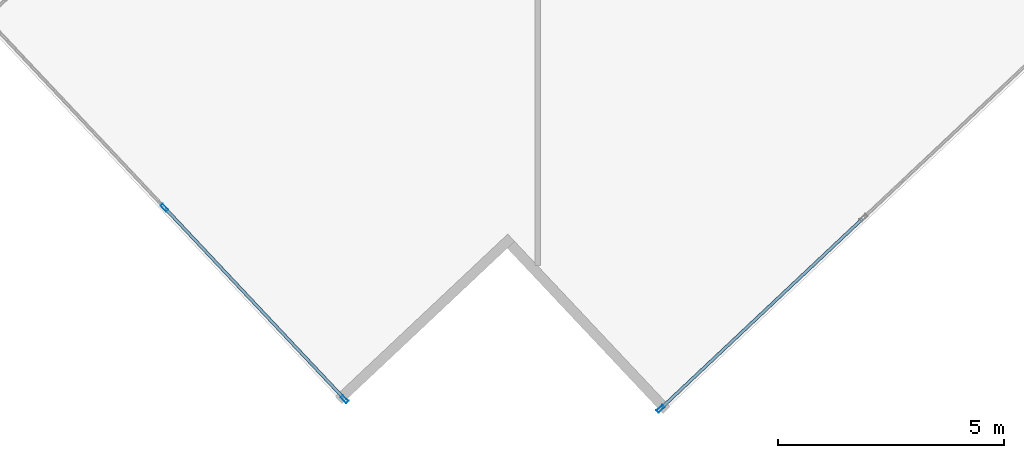
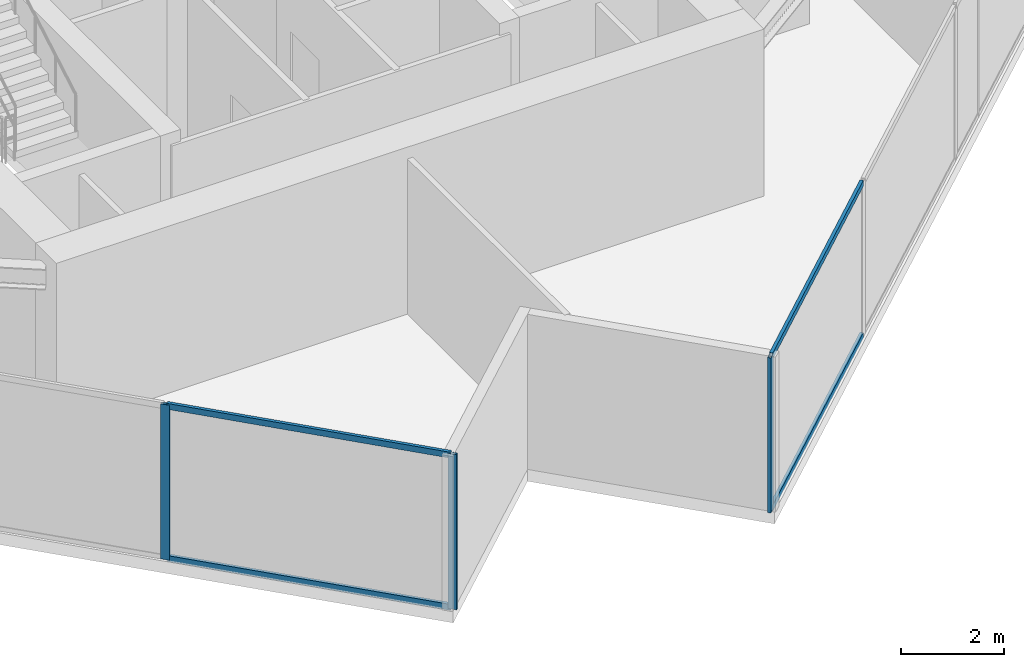
# One storey, part 3 of 24: 7 members, 2 elements without a shape of their own.
"""IFC4 building model written with IfcOpenShell, lengths in metres."""

import ifcopenshell
import ifcopenshell.guid

model = None  # the IFC model being written
_history = None  # IfcOwnerHistory: only IFC2X3 demands one
_inside = {}  # id of a spatial element -> (the spatial element, [elements in it])
_under = {}  # id of a project, library or spatial element -> (it, [spatial elements below it])
_declared = {}  # id of a project -> (the project, [libraries it declares])
_typed = {}  # id of a type object -> (the type object, [elements of that type])
_made_of = {}  # id of a material, layer set ... -> (it, [elements and type objects made of it])


def new_model(schema):
    """Start an empty IFC model of exactly this schema.

    Asked for "IFC4X3", IfcOpenShell would pick the latest addendum, in which some entities
    have other attributes; the version numbers below select the first issue.
    IFC2X3 requires an IfcOwnerHistory on every rooted entity: one is made here for all.
    """
    global model, _history
    if schema == "IFC4X3":
        model = ifcopenshell.file(schema_version=(4, 3, 0, 0))
    else:
        model = ifcopenshell.file(schema=schema)
    _inside.clear()
    _under.clear()
    _declared.clear()
    _typed.clear()
    _made_of.clear()
    _history = None
    if model.schema == "IFC2X3":
        org = make("IfcOrganization", Name="unknown")
        user = make(
            "IfcPersonAndOrganization",
            ThePerson=make("IfcPerson", FamilyName="unknown"),
            TheOrganization=org,
        )
        app = make(
            "IfcApplication",
            ApplicationDeveloper=org,
            Version="unknown",
            ApplicationFullName="unknown",
            ApplicationIdentifier="unknown",
        )
        _history = make(
            "IfcOwnerHistory",
            OwningUser=user,
            OwningApplication=app,
            ChangeAction="ADDED",
            CreationDate=0,
        )
    return model


def make(cls, **values):
    """One entity of the class cls with the attributes given. An attribute that is None is left unset."""
    return model.create_entity(
        cls, **{name: value for name, value in values.items() if value is not None}
    )


def rooted(cls, **values):
    """An entity with a GlobalId (a new one), such as an element, a storey or a relation."""
    return make(cls, GlobalId=ifcopenshell.guid.new(), OwnerHistory=_history, **values)


def si_unit(unit_type, name, prefix=None):
    """IfcSIUnit, for example si_unit("LENGTHUNIT", "METRE", prefix="MILLI")."""
    return make("IfcSIUnit", UnitType=unit_type, Prefix=prefix, Name=name)


def assignment(units):
    """IfcUnitAssignment: the units of a project."""
    return None if units is None else make("IfcUnitAssignment", Units=units)


def point(xyz):
    """IfcCartesianPoint."""
    return None if xyz is None else make("IfcCartesianPoint", Coordinates=xyz)


def direction(xyz):
    """IfcDirection."""
    return None if xyz is None else make("IfcDirection", DirectionRatios=xyz)


def frame(location, z_axis=None, x_axis=None):
    """IfcAxis2Placement3D, a coordinate frame: its origin and axes. An axis left out is left unset."""
    return make(
        "IfcAxis2Placement3D",
        Location=point(location),
        Axis=direction(z_axis),
        RefDirection=direction(x_axis),
    )


def frame_2d(location, x_axis=None):
    """IfcAxis2Placement2D, a coordinate frame in the plane: its origin and x axis."""
    return make(
        "IfcAxis2Placement2D", Location=point(location), RefDirection=direction(x_axis)
    )


def origin():
    """The frame at (0, 0, 0) with its axes left unset."""
    return frame((0.0, 0.0, 0.0))


def origin_2d():
    """The frame at (0, 0) in the plane with its x axis left unset."""
    return frame_2d((0.0, 0.0))


def place(relative_to, where):
    """IfcLocalPlacement: puts the frame where relative to a parent placement (None: the world)."""
    return make(
        "IfcLocalPlacement", PlacementRelTo=relative_to, RelativePlacement=where
    )


def context(
    kind, dimensions, precision=None, world=None, true_north=None, identifier=None
):
    """IfcGeometricRepresentationContext, for example the 3D "Model" context."""
    return make(
        "IfcGeometricRepresentationContext",
        ContextIdentifier=identifier,
        ContextType=kind,
        CoordinateSpaceDimension=dimensions,
        Precision=precision,
        WorldCoordinateSystem=world,
        TrueNorth=true_north,
    )


def subcontext(parent, identifier, kind, view, scale=None):
    """IfcGeometricRepresentationSubContext, for example "Body" below "Model"."""
    return make(
        "IfcGeometricRepresentationSubContext",
        ContextIdentifier=identifier,
        ContextType=kind,
        ParentContext=parent,
        TargetScale=scale,
        TargetView=view,
    )


def project(units=None, contexts=None):
    """IfcProject with its units and contexts."""
    return rooted(
        "IfcProject",
        Name="project",
        RepresentationContexts=contexts,
        UnitsInContext=assignment(units),
    )


def spatial(cls, under=None, at=None, **own):
    """A site, building, storey or space (cls), placed at a placement, below another one or the project."""
    s = rooted(cls, ObjectPlacement=at, **own)
    if under is not None:
        _under.setdefault(under.id(), (under, []))[1].append(s)
    return s


def profile(cls, at=None, kind="AREA", **sizes):
    """A parametric profile (cls). Its sizes go by their IFC names, for example OverallWidth=200.0."""
    return make(cls, ProfileType=kind, Position=at, **sizes)


def hollow_rectangle(**sizes):
    """IfcRectangleHollowProfileDef."""
    return profile("IfcRectangleHollowProfileDef", **sizes)


def extrude(swept, where, along, depth):
    """IfcExtrudedAreaSolid: the profile swept, set in the frame where, extruded along a direction by depth."""
    return make(
        "IfcExtrudedAreaSolid",
        SweptArea=swept,
        Position=where,
        ExtrudedDirection=direction(along),
        Depth=depth,
    )


def shape(context_of_items, identifier, shape_type, items):
    """IfcShapeRepresentation: the items that make up one representation, for example the "Body"."""
    return make(
        "IfcShapeRepresentation",
        ContextOfItems=context_of_items,
        RepresentationIdentifier=identifier,
        RepresentationType=shape_type,
        Items=items,
    )


def source(mapping_origin, context_of_items, identifier, shape_type, items):
    """IfcRepresentationMap: a shape defined once, which mapped items show again and again."""
    return make(
        "IfcRepresentationMap",
        MappingOrigin=mapping_origin,
        MappedRepresentation=shape(context_of_items, identifier, shape_type, items),
    )


def transform(
    local_origin,
    x_axis=None,
    y_axis=None,
    z_axis=None,
    scale=None,
    scale2=None,
    scale3=None,
    uniform=True,
):
    """IfcCartesianTransformationOperator3D, or its non-uniform kind. x_axis, y_axis, z_axis: its Axis1, 2, 3."""
    if uniform:
        return make(
            "IfcCartesianTransformationOperator3D",
            Axis1=direction(x_axis),
            Axis2=direction(y_axis),
            LocalOrigin=point(local_origin),
            Scale=scale,
            Axis3=direction(z_axis),
        )
    return make(
        "IfcCartesianTransformationOperator3DnonUniform",
        Axis1=direction(x_axis),
        Axis2=direction(y_axis),
        LocalOrigin=point(local_origin),
        Scale=scale,
        Axis3=direction(z_axis),
        Scale2=scale2,
        Scale3=scale3,
    )


def mapped(mapping_source, mapping_target):
    """IfcMappedItem: shows the shape of a source again, moved by a transform."""
    return make(
        "IfcMappedItem", MappingSource=mapping_source, MappingTarget=mapping_target
    )


def material(Name=None, Category=None):
    """IfcMaterial."""
    return make("IfcMaterial", Name=Name, Category=Category)


def material_profile(
    of_material, cross_section, Name=None, Category=None, Priority=None
):
    """IfcMaterialProfile: a cross section and its material."""
    return make(
        "IfcMaterialProfile",
        Name=Name,
        Material=of_material,
        Profile=cross_section,
        Priority=Priority,
        Category=Category,
    )


def profile_set(profiles, Name=None, composite=None):
    """IfcMaterialProfileSet."""
    return make(
        "IfcMaterialProfileSet",
        Name=Name,
        MaterialProfiles=profiles,
        CompositeProfile=composite,
    )


def made_of(thing, what):
    """Note that an element or type object is made of a material, layer set ...; save() writes the relation."""
    if what is not None:
        _made_of.setdefault(what.id(), (what, []))[1].append(thing)
    return thing


def type_object(cls, material=None, **own):
    """A type object (cls), such as IfcWallType, which elements share."""
    return made_of(rooted(cls, **own), material)


def type_shapes(of_type, sources):
    """Give a type object the sources (RepresentationMaps) that its elements show as mapped items."""
    of_type.RepresentationMaps = sources


def element(
    cls,
    number,
    at=None,
    inside=None,
    cuts=None,
    type_object=None,
    material=None,
    context=None,
    identifier="Body",
    shape_type=None,
    held_by="IfcProductDefinitionShape",
    body=None,
    shapes=None,
    **own,
):
    """One element of the class cls, such as IfcWall. Its Tag is "e" and its number.

    at: its placement. inside: the storey or other place that contains it. cuts: it is an
    opening in that element (IfcRelVoidsElement). A single representation is given by context,
    identifier, shape_type and body (its items); several are given by shapes. held_by: the class
    of the entity that holds the representations. save() writes the other relations.
    """
    e = rooted(cls, Tag="e%d" % number, ObjectPlacement=at, **own)
    if body is not None:
        shapes = [shape(context, identifier, shape_type, body)]
    if shapes is not None:
        e.Representation = make(held_by, Representations=shapes)
    if inside is not None:
        _inside.setdefault(inside.id(), (inside, []))[1].append(e)
    if cuts is not None:
        rooted(
            "IfcRelVoidsElement", RelatingBuildingElement=cuts, RelatedOpeningElement=e
        )
    if type_object is not None:
        _typed.setdefault(type_object.id(), (type_object, []))[1].append(e)
    return made_of(e, material)


def aggregate(whole, parts):
    """IfcRelAggregates: a whole, such as a stair, and the parts it consists of."""
    return rooted("IfcRelAggregates", RelatingObject=whole, RelatedObjects=parts)


def save(model, path):
    """Write the relations noted so far, then the file.

    IfcRelAggregates (storeys below a building ...), IfcRelContainedInSpatialStructure (elements
    in a storey), IfcRelDefinesByType, IfcRelAssociatesMaterial and IfcRelDeclares: one each for
    every whole, place, type object, material and project.
    """
    for whole, parts in _under.values():
        aggregate(whole, parts)
    for where, things in _inside.values():
        rooted(
            "IfcRelContainedInSpatialStructure",
            RelatedElements=things,
            RelatingStructure=where,
        )
    for kind, things in _typed.values():
        rooted("IfcRelDefinesByType", RelatedObjects=things, RelatingType=kind)
    for what, things in _made_of.values():
        rooted("IfcRelAssociatesMaterial", RelatedObjects=things, RelatingMaterial=what)
    for by, libraries in _declared.values():
        rooted("IfcRelDeclares", RelatingContext=by, RelatedDefinitions=libraries)
    model.write(path)


model = new_model("IFC4")

# Units and contexts
model_context = context("Model", 3, precision=1e-05, world=origin(), true_north=direction((0.0, 1.0)))
body_context = subcontext(model_context, "Body", "Model", "MODEL_VIEW")
ifc_project = project(units=[si_unit("LENGTHUNIT", "METRE"), si_unit("AREAUNIT", "SQUARE_METRE"), si_unit("VOLUMEUNIT", "CUBIC_METRE"), si_unit("PLANEANGLEUNIT", "RADIAN"), si_unit("MASSUNIT", "GRAM", prefix="KILO")], contexts=[model_context])

# Site, building, storey
site_placement = place(None, origin())
site = spatial("IfcSite", under=ifc_project, at=site_placement, CompositionType="ELEMENT")
building_placement = place(site_placement, origin())
building = spatial("IfcBuilding", under=site, at=building_placement, Name="Krantzveldt Concourse Tower", CompositionType="ELEMENT")
storey_placement = place(building_placement, frame((0.0, 0.0, 246.800048828125)))
storey = spatial("IfcBuildingStorey", under=building, at=storey_placement, Name="L60", CompositionType="ELEMENT", Elevation=246.800048828125)

# Curtain wall, members
ifc_material = material(Name="Anodised aluminium 6063-T6", Category="aluminium")
curtain_wall_type = type_object("IfcCurtainWallType", Name="CW3", PredefinedType="USERDEFINED", material=ifc_material)
curtain_wall_1_placement = place(storey_placement, origin())
curtain_wall_1 = element("IfcCurtainWall", 1, at=curtain_wall_1_placement, inside=storey, type_object=curtain_wall_type, Name="CW-L60-F08", ObjectType="UNITISED CURTAIN WALL", PredefinedType="USERDEFINED")
ifc_material_profile_1 = material_profile(ifc_material, hollow_rectangle(XDim=0.070068359375, YDim=0.179931640625, WallThickness=0.0048828125, at=origin_2d()), Name="Anodised aluminium 6063-T6", Category="aluminium")
ifc_profile_set_1 = profile_set([ifc_material_profile_1], Name="Anodised aluminium 6063-T6 - ALU-MULL 180x70x5")
member_type_1 = type_object("IfcMemberType", Name="CW-MUL-180", PredefinedType="MULLION", material=ifc_profile_set_1)
shared_shape_1 = source(origin(), body_context, "Body", "SweptSolid", [
    extrude(hollow_rectangle(XDim=0.070068359375, YDim=0.179931640625, WallThickness=0.0048828125, at=origin_2d()), origin(), (0.0, 0.0, 1.0), 3.669921875),
])
type_shapes(member_type_1, [shared_shape_1])
member_1_placement = place(storey_placement, frame((27.745849609375, 5.6865234375, 0.0), z_axis=(0.0, 0.0, 1.0), x_axis=(0.728370998021, 0.685182960414, 0.0)))
member_1 = element("IfcMember", 2, at=member_1_placement, type_object=member_type_1, Name="CW-Z34 mullion 2", PredefinedType="MULLION", context=body_context, shape_type="MappedRepresentation", body=[
    mapped(shared_shape_1, transform((0.0, 0.0, 0.0), x_axis=(1.0, 0.0, 0.0), y_axis=(0.0, 1.0, 0.0), z_axis=(0.0, 0.0, 1.0), scale=1.0)),
])
member_2_placement = place(storey_placement, frame((31.730224609375, 1.451171875, 0.0), z_axis=(0.0, 0.0, 1.0), x_axis=(0.728370998021, 0.685182960414, 0.0)))
member_2 = element("IfcMember", 3, at=member_2_placement, type_object=member_type_1, Name="CW-Z34 mullion 3", PredefinedType="MULLION", context=body_context, shape_type="MappedRepresentation", body=[
    mapped(shared_shape_1, transform((0.0, 0.0, 0.0), x_axis=(1.0, 0.0, 0.0), y_axis=(0.0, 1.0, 0.0), z_axis=(0.0, 0.0, 1.0), scale=1.0)),
])

curtain_wall_2_placement = place(storey_placement, origin())
curtain_wall_2 = element("IfcCurtainWall", 4, at=curtain_wall_2_placement, inside=storey, type_object=curtain_wall_type, Name="CW-L60-F11", ObjectType="UNITISED CURTAIN WALL", PredefinedType="USERDEFINED")
member_3_placement = place(storey_placement, frame((38.72021484375, 1.237548828125, 0.0), z_axis=(0.0, 0.0, 1.0), x_axis=(-0.685182945184, 0.728371012348, 0.0)))
member_3 = element("IfcMember", 5, at=member_3_placement, type_object=member_type_1, Name="CW-Z34 mullion 1", PredefinedType="MULLION", context=body_context, shape_type="MappedRepresentation", body=[
    mapped(shared_shape_1, transform((0.0, 0.0, 0.0), x_axis=(1.0, 0.0, 0.0), y_axis=(0.0, 1.0, 0.0), z_axis=(0.0, 0.0, 1.0), scale=1.0)),
])
ifc_material_profile_2 = material_profile(ifc_material, hollow_rectangle(XDim=0.070068359375, YDim=0.139892578125, WallThickness=0.0048828125, at=origin_2d()), Name="Anodised aluminium 6063-T6", Category="aluminium")
ifc_profile_set_2 = profile_set([ifc_material_profile_2], Name="Anodised aluminium 6063-T6 - ALU-TRAN 140x70x5")
member_type_2 = type_object("IfcMemberType", Name="CW-TRN-150", PredefinedType="USERDEFINED", material=ifc_profile_set_2)
shared_shape_2 = source(origin(), body_context, "Body", "SweptSolid", [
    extrude(hollow_rectangle(XDim=0.070068359375, YDim=0.139892578125, WallThickness=0.0048828125, at=origin_2d()), origin(), (0.0, 0.0, 1.0), 6.094970703125),
])
member_4_placement = place(storey_placement, frame((38.745849609375, 1.261474609375, 0.034912109375), z_axis=(0.728366954224, 0.685187259072, 0.0), x_axis=(-0.685187259072, 0.728366954224, 0.0)))
member_4 = element("IfcMember", 6, at=member_4_placement, type_object=member_type_2, Name="CW-Z34 transom 1.1", ObjectType="TRANSOM", PredefinedType="USERDEFINED", context=body_context, shape_type="MappedRepresentation", body=[
    mapped(shared_shape_2, transform((0.0, 0.0, 0.0), x_axis=(1.0, 0.0, 0.0), y_axis=(0.0, 1.0, 0.0), z_axis=(0.0, 0.0, 1.0), scale=1.0)),
])
member_5_placement = place(storey_placement, frame((38.745849609375, 1.261474609375, 3.635009765625), z_axis=(0.728366954224, 0.685187259072, 0.0), x_axis=(-0.685187259072, 0.728366954224, 0.0)))
member_5 = element("IfcMember", 7, at=member_5_placement, type_object=member_type_2, Name="CW-Z34 transom 1.2", ObjectType="TRANSOM", PredefinedType="USERDEFINED", context=body_context, shape_type="MappedRepresentation", body=[
    mapped(shared_shape_2, transform((0.0, 0.0, 0.0), x_axis=(1.0, 0.0, 0.0), y_axis=(0.0, 1.0, 0.0), z_axis=(0.0, 0.0, 1.0), scale=1.0)),
])
aggregate(curtain_wall_2, [member_3, member_4, member_5])

# Member
shared_shape_3 = source(origin(), body_context, "Body", "SweptSolid", [
    extrude(hollow_rectangle(XDim=0.070068359375, YDim=0.139892578125, WallThickness=0.0048828125, at=origin_2d()), origin(), (0.0, 0.0, 1.0), 5.744873046875),
])
type_shapes(member_type_2, [shared_shape_2, shared_shape_3])
member_6_placement = place(storey_placement, frame((27.77001953125, 5.6611328125, 0.034912109375), z_axis=(0.685167163665, -0.728385857795, 0.0), x_axis=(0.728385857795, 0.685167163665, 0.0)))
member_6 = element("IfcMember", 8, at=member_6_placement, type_object=member_type_2, Name="CW-Z34 transom 2.1", ObjectType="TRANSOM", PredefinedType="USERDEFINED", context=body_context, shape_type="MappedRepresentation", body=[
    mapped(shared_shape_3, transform((0.0, 0.0, 0.0), x_axis=(1.0, 0.0, 0.0), y_axis=(0.0, 1.0, 0.0), z_axis=(0.0, 0.0, 1.0), scale=1.0)),
])

member_7_placement = place(storey_placement, frame((27.77001953125, 5.6611328125, 3.635009765625), z_axis=(0.685167163665, -0.728385857795, 0.0), x_axis=(0.728385857795, 0.685167163665, 0.0)))
member_7 = element("IfcMember", 9, at=member_7_placement, type_object=member_type_2, Name="CW-Z34 transom 2.2", ObjectType="TRANSOM", PredefinedType="USERDEFINED", context=body_context, shape_type="MappedRepresentation", body=[
    mapped(shared_shape_3, transform((0.0, 0.0, 0.0), x_axis=(1.0, 0.0, 0.0), y_axis=(0.0, 1.0, 0.0), z_axis=(0.0, 0.0, 1.0), scale=1.0)),
])

aggregate(curtain_wall_1, [member_1, member_2, member_6, member_7])

save(model, "model.ifc")
